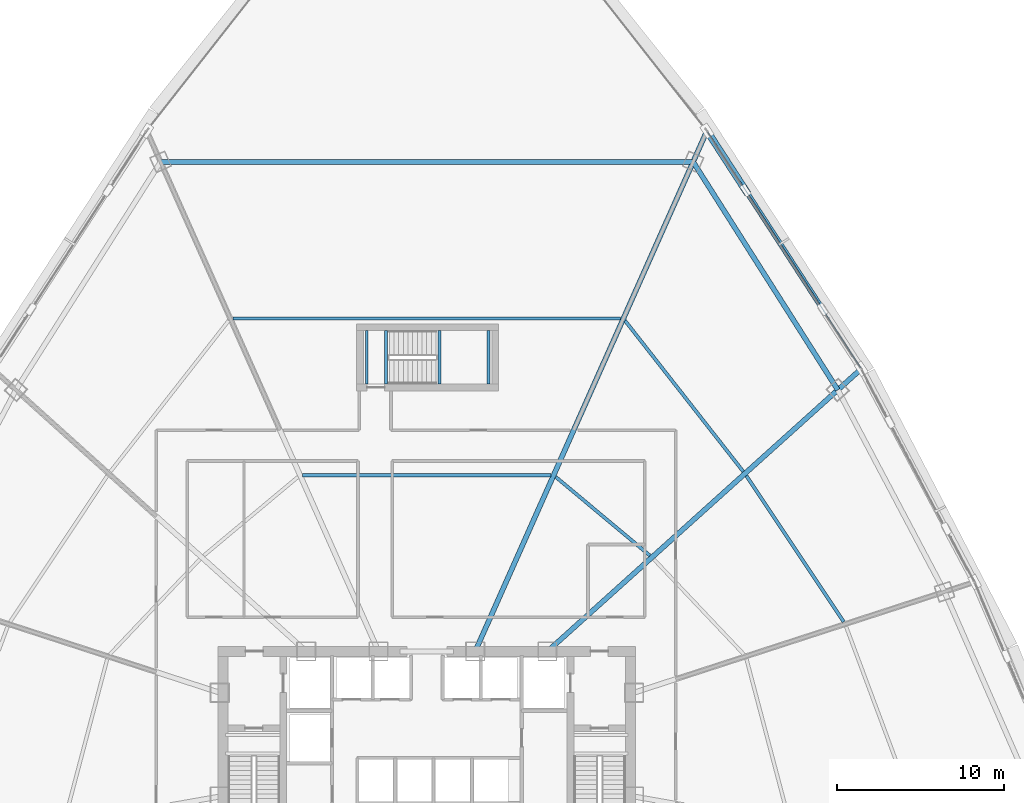
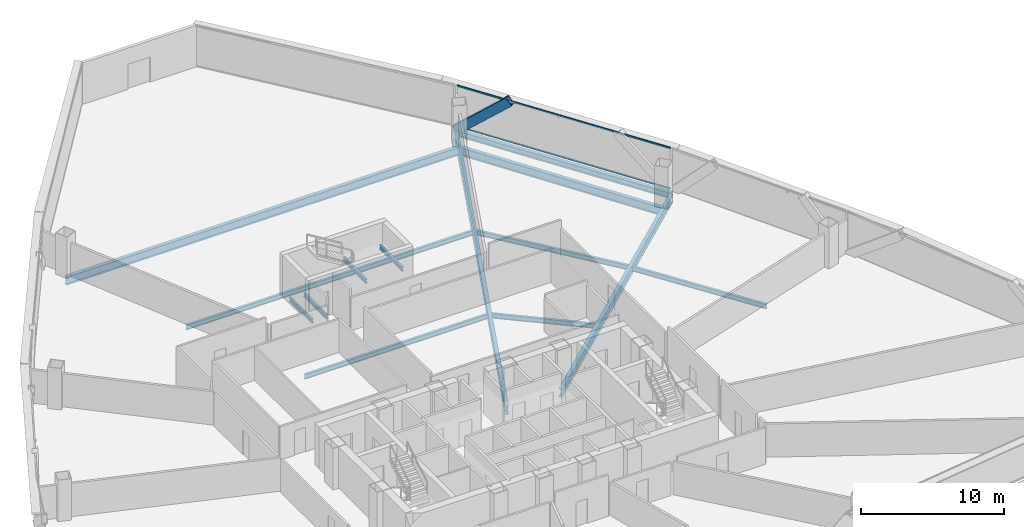
# One storey, part 17 of 39: 14 beams, 3 members, 1 element without a shape of its own.
"""IFC4 building model written with IfcOpenShell, lengths in metres."""

from ifc_helpers import new_model, si_unit, direction, frame, origin, origin_2d, place, context, subcontext, project, spatial, hollow_rectangle, i_section, extrude, source, transform, mapped, material, layer, layer_set, material_profile, profile_set, type_object, element, aggregate, save


model = new_model("IFC4")

# Units and contexts
model_context = context("Model", 3, precision=1e-05, world=origin(), true_north=direction((0.0, 1.0)))
body_context = subcontext(model_context, "Body", "Model", "MODEL_VIEW")
ifc_project = project(units=[si_unit("LENGTHUNIT", "METRE"), si_unit("AREAUNIT", "SQUARE_METRE"), si_unit("VOLUMEUNIT", "CUBIC_METRE"), si_unit("PLANEANGLEUNIT", "RADIAN"), si_unit("MASSUNIT", "GRAM", prefix="KILO"), si_unit("THERMODYNAMICTEMPERATUREUNIT", "KELVIN"), si_unit("POWERUNIT", "WATT")], contexts=[model_context])

# Site, building, storey
site_placement = place(None, origin())
site = spatial("IfcSite", under=ifc_project, at=site_placement, CompositionType="ELEMENT")
building_placement = place(site_placement, origin())
building = spatial("IfcBuilding", under=site, at=building_placement, Name="Yunzhuo Pagoda Commons", CompositionType="ELEMENT")
storey_placement = place(building_placement, frame((0.0, 0.0, 96.3798828125)))
storey = spatial("IfcBuildingStorey", under=building, at=storey_placement, Name="L24", CompositionType="ELEMENT", Elevation=96.3798828125)

# Beams
ifc_material_1 = material(Name="Structural steel Q355B", Category="steel")
ifc_material_profile_1 = material_profile(ifc_material_1, i_section(OverallWidth=0.175048828125, OverallDepth=0.35009765625, WebThickness=0.007080078125, FlangeThickness=0.010986328125, at=origin_2d()), Name="Structural steel Q355B")
ifc_profile_set_1 = profile_set([ifc_material_profile_1], Name="Structural steel Q355B")
beam_type_1 = type_object("IfcBeamType", Name="B-JS2 Joist HN 350x175x7x11", PredefinedType="JOIST", material=ifc_profile_set_1)
shared_shape_1 = source(origin(), body_context, "Body", "SweptSolid", [
    extrude(i_section(OverallWidth=0.175048828125, OverallDepth=0.35009765625, WebThickness=0.007080078125, FlangeThickness=0.010986328125, at=origin_2d()), origin(), (0.0, 0.0, 1.0), 3.199951171875),
])
for number, where, z_axis, x_axis, name in (
    (1, (48.75, 56.199951171875, 1.525146484375), (0.0, 1.0, 0.0), (-1.0, 0.0, 0.0), "L24 ST3 landing support beam 30A"),
    (2, (51.699951171875, 56.199951171875, 1.525146484375), (0.0, 1.0, 0.0), (-1.0, 0.0, 0.0), "L24 ST3 landing support beam 30B"),
    (3, (44.39990234375, 56.199951171875, -0.375), (0.0, 1.0, 0.0), (-1.0, 0.0, 0.0), "L24 ST3 landing support beam 98A"),
    (4, (45.550048828125, 56.199951171875, -0.375), (0.0, 1.0, 0.0), (-1.0, 0.0, 0.0), "L24 ST3 landing support beam 98B"),
):
    element("IfcBeam", number, at=place(storey_placement, frame(where, z_axis=z_axis, x_axis=x_axis)), inside=storey, type_object=beam_type_1, Name=name, PredefinedType="JOIST", context=body_context, shape_type="MappedRepresentation", body=[
        mapped(shared_shape_1, transform((0.0, 0.0, 0.0), scale=1.0)),
    ])
ifc_material_profile_2 = material_profile(ifc_material_1, i_section(OverallWidth=0.300048828125, OverallDepth=0.699951171875, WebThickness=0.012939453125, FlangeThickness=0.02392578125, at=origin_2d()), Name="Structural steel Q355B")
ifc_profile_set_2 = profile_set([ifc_material_profile_2], Name="Structural steel Q355B")
beam_type_2 = type_object("IfcBeamType", Name="B-RG1 Beam HN 700x300x13x24", PredefinedType="BEAM", material=ifc_profile_set_2)
shared_shape_2 = source(origin(), body_context, "Body", "SweptSolid", [
    extrude(i_section(OverallWidth=0.300048828125, OverallDepth=0.699951171875, WebThickness=0.012939453125, FlangeThickness=0.02392578125, at=origin_2d()), origin(), (0.0, 0.0, 1.0), 16.16845703125),
])
beam_1_placement = place(storey_placement, frame((72.602783203125, 55.852294921875, -0.609619140625), z_axis=(-0.535695673154, 0.844411123662, 0.0), x_axis=(-0.844411123662, -0.535695673154, 0.0)))
element("IfcBeam", 5, at=beam_1_placement, inside=storey, type_object=beam_type_2, Name="L24 column-ring beam 7", PredefinedType="BEAM", context=body_context, shape_type="MappedRepresentation", body=[
    mapped(shared_shape_2, transform((0.0, 0.0, 0.0), scale=1.0)),
])
shared_shape_3 = source(origin(), body_context, "Body", "SweptSolid", [
    extrude(i_section(OverallWidth=0.300048828125, OverallDepth=0.699951171875, WebThickness=0.012939453125, FlangeThickness=0.02392578125, at=origin_2d()), origin(), (0.0, 0.0, 1.0), 31.8828125),
])
beam_2_placement = place(storey_placement, frame((63.94140625, 69.505126953125, -0.609619140625), z_axis=(-1.0, 0.0, 0.0), x_axis=(0.0, -1.0, 0.0)))
element("IfcBeam", 6, at=beam_2_placement, inside=storey, type_object=beam_type_2, Name="L24 column-ring beam 8", PredefinedType="BEAM", context=body_context, shape_type="MappedRepresentation", body=[
    mapped(shared_shape_3, transform((0.0, 0.0, 0.0), scale=1.0)),
])
ifc_material_profile_3 = material_profile(ifc_material_1, i_section(OverallWidth=0.199951171875, OverallDepth=0.39990234375, WebThickness=0.008056640625, FlangeThickness=0.012939453125, at=origin_2d()), Name="Structural steel Q355B")
ifc_profile_set_3 = profile_set([ifc_material_profile_3], Name="Structural steel Q355B")
beam_type_3 = type_object("IfcBeamType", Name="B-JS1 Joist HN 400x200x8x13", PredefinedType="JOIST", material=ifc_profile_set_3)
shared_shape_4 = source(origin(), body_context, "Body", "SweptSolid", [
    extrude(i_section(OverallWidth=0.199951171875, OverallDepth=0.39990234375, WebThickness=0.008056640625, FlangeThickness=0.012939453125, at=origin_2d()), origin(), (0.0, 0.0, 1.0), 10.50537109375),
])
beam_3_placement = place(storey_placement, frame((72.95361328125, 41.968994140625, -0.4599609375), z_axis=(-0.554523204193, 0.832168261839, 0.0), x_axis=(-0.832168261839, -0.554523204193, 0.0)))
element("IfcBeam", 7, at=beam_3_placement, inside=storey, type_object=beam_type_3, Name="L24 composite ring joist 2.6", PredefinedType="JOIST", context=body_context, shape_type="MappedRepresentation", body=[
    mapped(shared_shape_4, transform((0.0, 0.0, 0.0), scale=1.0)),
])
shared_shape_5 = source(origin(), body_context, "Body", "SweptSolid", [
    extrude(i_section(OverallWidth=0.199951171875, OverallDepth=0.39990234375, WebThickness=0.008056640625, FlangeThickness=0.012939453125, at=origin_2d()), origin(), (0.0, 0.0, 1.0), 7.350341796875),
])
beam_4_placement = place(storey_placement, frame((61.355224609375, 45.936767578125, -0.4599609375), z_axis=(-0.767589283892, 0.640942034239, 0.0), x_axis=(-0.640942034239, -0.767589283892, 0.0)))
element("IfcBeam", 8, at=beam_4_placement, inside=storey, type_object=beam_type_3, Name="L24 composite ring joist 1.7", PredefinedType="JOIST", context=body_context, shape_type="MappedRepresentation", body=[
    mapped(shared_shape_5, transform((0.0, 0.0, 0.0), scale=1.0)),
])
shared_shape_6 = source(origin(), body_context, "Body", "SweptSolid", [
    extrude(i_section(OverallWidth=0.199951171875, OverallDepth=0.39990234375, WebThickness=0.008056640625, FlangeThickness=0.012939453125, at=origin_2d()), origin(), (0.0, 0.0, 1.0), 11.475830078125),
])
beam_5_placement = place(storey_placement, frame((66.942138671875, 50.96875, -0.4599609375), z_axis=(-0.616739539478, 0.787167288728, 0.0), x_axis=(-0.787167288728, -0.616739539478, 0.0)))
element("IfcBeam", 9, at=beam_5_placement, inside=storey, type_object=beam_type_3, Name="L24 composite ring joist 2.7", PredefinedType="JOIST", context=body_context, shape_type="MappedRepresentation", body=[
    mapped(shared_shape_6, transform((0.0, 0.0, 0.0), scale=1.0)),
])
shared_shape_7 = source(origin(), body_context, "Body", "SweptSolid", [
    extrude(i_section(OverallWidth=0.199951171875, OverallDepth=0.39990234375, WebThickness=0.008056640625, FlangeThickness=0.012939453125, at=origin_2d()), origin(), (0.0, 0.0, 1.0), 14.8642578125),
])
beam_6_placement = place(storey_placement, frame((55.43212890625, 50.749755859375, -0.4599609375), z_axis=(-1.0, 0.0, 0.0), x_axis=(0.0, -1.0, 0.0)))
element("IfcBeam", 10, at=beam_6_placement, inside=storey, type_object=beam_type_3, Name="L24 composite ring joist 1.8", PredefinedType="JOIST", context=body_context, shape_type="MappedRepresentation", body=[
    mapped(shared_shape_7, transform((0.0, 0.0, 0.0), scale=1.0)),
])
shared_shape_8 = source(origin(), body_context, "Body", "SweptSolid", [
    extrude(i_section(OverallWidth=0.199951171875, OverallDepth=0.39990234375, WebThickness=0.008056640625, FlangeThickness=0.012939453125, at=origin_2d()), origin(), (0.0, 0.0, 1.0), 23.21484375),
])
beam_7_placement = place(storey_placement, frame((59.607421875, 60.12744140625, -0.4599609375), z_axis=(-1.0, 0.0, 0.0), x_axis=(0.0, -1.0, 0.0)))
element("IfcBeam", 11, at=beam_7_placement, inside=storey, type_object=beam_type_3, Name="L24 composite ring joist 2.8", PredefinedType="JOIST", context=body_context, shape_type="MappedRepresentation", body=[
    mapped(shared_shape_8, transform((0.0, 0.0, 0.0), scale=1.0)),
])
shared_shape_9 = source(origin(), body_context, "Body", "SweptSolid", [
    extrude(i_section(OverallWidth=0.300048828125, OverallDepth=0.699951171875, WebThickness=0.012939453125, FlangeThickness=0.02392578125, at=origin_2d()), origin(), (0.0, 0.0, 1.0), 25.1318359375),
])
beam_8_placement = place(storey_placement, frame((73.8955078125, 57.016357421875, -0.609619140625), z_axis=(-0.743144868879, -0.669130558156, 0.0), x_axis=(0.669130558156, -0.743144868879, 0.0)))
element("IfcBeam", 12, at=beam_8_placement, inside=storey, type_object=beam_type_2, Name="L24 radial floor girder F2C3", PredefinedType="BEAM", context=body_context, shape_type="MappedRepresentation", body=[
    mapped(shared_shape_9, transform((0.0, 0.0, 0.0), scale=1.0)),
])
shared_shape_10 = source(origin(), body_context, "Body", "SweptSolid", [
    extrude(i_section(OverallWidth=0.300048828125, OverallDepth=0.699951171875, WebThickness=0.012939453125, FlangeThickness=0.02392578125, at=origin_2d()), origin(), (0.0, 0.0, 1.0), 33.961181640625),
])
beam_9_placement = place(storey_placement, frame((64.707275390625, 71.22509765625, -0.609619140625), z_axis=(-0.406735346576, -0.91354603488, 0.0), x_axis=(0.91354603488, -0.406735346576, 0.0)))
element("IfcBeam", 13, at=beam_9_placement, inside=storey, type_object=beam_type_2, Name="L24 radial floor girder F2C4", PredefinedType="BEAM", context=body_context, shape_type="MappedRepresentation", body=[
    mapped(shared_shape_10, transform((0.0, 0.0, 0.0), scale=1.0)),
])
ifc_material_profile_4 = material_profile(ifc_material_1, i_section(OverallWidth=0.300048828125, OverallDepth=0.488037109375, WebThickness=0.010986328125, FlangeThickness=0.01806640625, at=origin_2d()), Name="Structural steel Q355B")
ifc_profile_set_4 = profile_set([ifc_material_profile_4], Name="Structural steel Q355B")
beam_type_4 = type_object("IfcBeamType", Name="B-SP1 Beam HM 488x300x11x18", PredefinedType="BEAM", material=ifc_profile_set_4)
shared_shape_11 = source(origin(), body_context, "Body", "SweptSolid", [
    extrude(i_section(OverallWidth=0.300048828125, OverallDepth=0.488037109375, WebThickness=0.010986328125, FlangeThickness=0.01806640625, at=origin_2d()), origin(), (0.0, 0.0, 1.0), 16.980712890625),
])
beam_10_placement = place(storey_placement, frame((74.0107421875, 57.1201171875, -0.50390625), z_axis=(-0.544174968166, 0.838971754007, 0.0), x_axis=(-0.838971754007, -0.544174968166, 0.0)))
element("IfcBeam", 14, at=beam_10_placement, inside=storey, type_object=beam_type_4, Name="L24 facade edge spandrel beam F2.3", PredefinedType="BEAM", context=body_context, shape_type="MappedRepresentation", body=[
    mapped(shared_shape_11, transform((0.0, 0.0, 0.0), scale=1.0)),
])

# Member
ifc_material_2 = material(Name="Structural steel Q420B", Category="steel")
ifc_material_profile_5 = material_profile(ifc_material_2, hollow_rectangle(XDim=0.419921875, YDim=0.719970703125, WallThickness=0.028076171875, at=origin_2d()), Name="Structural steel Q420B")
ifc_profile_set_5 = profile_set([ifc_material_profile_5], Name="Structural steel Q420B")
member_type_1 = type_object("IfcMemberType", Name="M-DL1 Brace BOX 720x420x28", PredefinedType="BRACE", material=ifc_profile_set_5)
shared_shape_12 = source(origin(), body_context, "Body", "SweptSolid", [
    extrude(hollow_rectangle(XDim=0.419921875, YDim=0.719970703125, WallThickness=0.028076171875, at=origin_2d()), origin(), (0.0, 0.0, 1.0), 5.697265625),
])
member_1_placement = place(storey_placement, frame((64.770263671875, 71.366455078125, -0.259765625), z_axis=(0.405464823843, -0.625123742361, 0.666947211826), x_axis=(0.838974060503, 0.544171412152, 0.0)))
element("IfcMember", 15, at=member_1_placement, inside=storey, type_object=member_type_1, Name="L24 facade diamond brace F2.3R", PredefinedType="BRACE", context=body_context, shape_type="MappedRepresentation", body=[
    mapped(shared_shape_12, transform((0.0, 0.0, 0.0), scale=1.0)),
])

# Curtain wall, members
ifc_material_3 = material(Name="Anodized aluminium 6063-T6", Category="aluminium")
ifc_layer = layer(ifc_material_3, 0.1650390625)
ifc_layer_set = layer_set([ifc_layer], Name="Anodized aluminium 6063-T6")
curtain_wall_type = type_object("IfcCurtainWallType", Name="CW-LOW Low-Zone Ribbon Curtain Wall", PredefinedType="NOTDEFINED", material=ifc_layer_set)
curtain_wall_placement = place(storey_placement, origin())
curtain_wall = element("IfcCurtainWall", 16, at=curtain_wall_placement, inside=storey, type_object=curtain_wall_type, Name="L24 curtain wall CW-L24-F2B4", PredefinedType="NOTDEFINED")
ifc_material_profile_6 = material_profile(ifc_material_3, hollow_rectangle(XDim=0.06005859375, YDim=0.139892578125, WallThickness=0.00341796875, at=origin_2d()), Name="Anodized aluminium 6063-T6")
ifc_profile_set_6 = profile_set([ifc_material_profile_6], Name="Anodized aluminium 6063-T6")
member_type_2 = type_object("IfcMemberType", Name="CW-LOW-T Transom RHS 140x60x3.5", PredefinedType="USERDEFINED", material=ifc_profile_set_6)
shared_shape_13 = source(origin(), body_context, "Body", "SweptSolid", [
    extrude(hollow_rectangle(XDim=0.06005859375, YDim=0.139892578125, WallThickness=0.00341796875, at=origin_2d()), origin(), (0.0, 0.0, 1.0), 16.8505859375),
])
member_2_placement = place(storey_placement, frame((73.975341796875, 57.1748046875, 0.030029296875), z_axis=(-0.544174292348, 0.838972192356, 0.0), x_axis=(-0.838972192356, -0.544174292348, 0.0)))
member_2 = element("IfcMember", 17, at=member_2_placement, type_object=member_type_2, Name="CW transom 1.1", ObjectType="TRANSOM", PredefinedType="USERDEFINED", context=body_context, shape_type="MappedRepresentation", body=[
    mapped(shared_shape_13, transform((0.0, 0.0, 0.0), scale=1.0)),
])
member_3_placement = place(storey_placement, frame((73.975341796875, 57.1748046875, 3.510009765625), z_axis=(-0.544174292348, 0.838972192356, 0.0), x_axis=(-0.838972192356, -0.544174292348, 0.0)))
member_3 = element("IfcMember", 18, at=member_3_placement, type_object=member_type_2, Name="CW transom 1.2", ObjectType="TRANSOM", PredefinedType="USERDEFINED", context=body_context, shape_type="MappedRepresentation", body=[
    mapped(shared_shape_13, transform((0.0, 0.0, 0.0), scale=1.0)),
])
aggregate(curtain_wall, [member_2, member_3])

save(model, "model.ifc")
